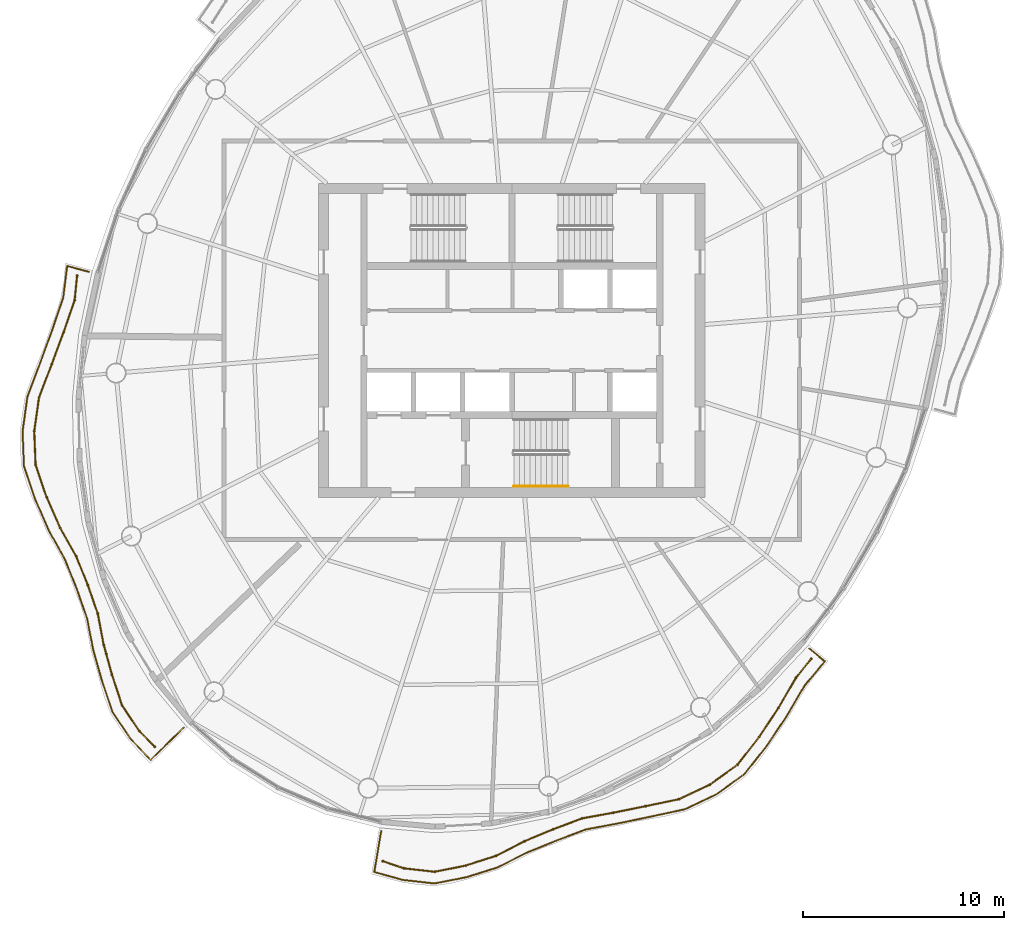
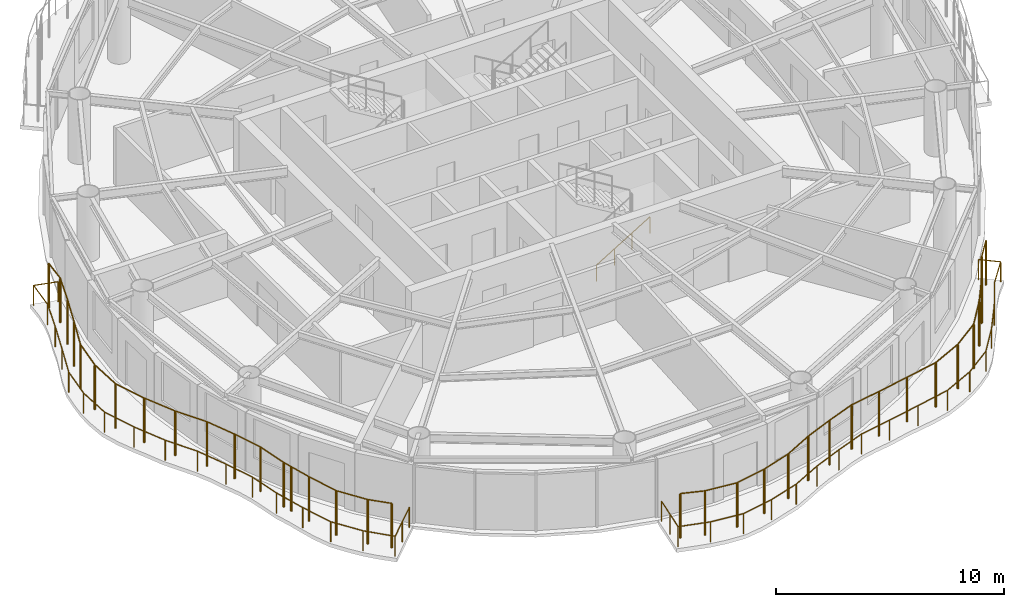
# One storey, part 11 of 13: 6 railings.
"""IFC4 building model written with IfcOpenShell, lengths in metres."""

from ifc_helpers import new_model, si_unit, direction, frame, origin, origin_2d, place, context, subcontext, project, spatial, circle, extrude, material, type_object, element, save


model = new_model("IFC4")

# Units and contexts
model_context = context("Model", 3, precision=1e-05, world=origin(), true_north=direction((0.0, 1.0)))
body_context = subcontext(model_context, "Body", "Model", "MODEL_VIEW")
ifc_project = project(units=[si_unit("LENGTHUNIT", "METRE"), si_unit("AREAUNIT", "SQUARE_METRE"), si_unit("VOLUMEUNIT", "CUBIC_METRE"), si_unit("PLANEANGLEUNIT", "RADIAN"), si_unit("MASSUNIT", "GRAM", prefix="KILO")], contexts=[model_context])

# Site, building, storey
site_placement = place(None, origin())
site = spatial("IfcSite", under=ifc_project, at=site_placement, CompositionType="ELEMENT")
building_placement = place(site_placement, origin())
building = spatial("IfcBuilding", under=site, at=building_placement, Name="Vermilion Reach Broadcast Tower", CompositionType="ELEMENT")
storey_placement = place(building_placement, frame((0.0, 0.0, 282.89990234375)))
storey = spatial("IfcBuildingStorey", under=building, at=storey_placement, Name="L70", CompositionType="ELEMENT", Elevation=282.89990234375)

# Railings
ifc_material_1 = material(Name="Terracotta baguette", Category="masonry")
railing_type_1 = type_object("IfcRailingType", Name="BAGUETTE SCREEN", PredefinedType="USERDEFINED", material=ifc_material_1)
railing_1_placement = place(storey_placement, frame((-27.6015625, 3.225830078125, 0.0)))
element("IfcRailing", 1, at=railing_1_placement, inside=storey, type_object=railing_type_1, Name="Baguette screen L70 group 2 part 1", ObjectType="BAGUETTE SCREEN", PredefinedType="USERDEFINED", context=body_context, shape_type="SweptSolid", body=[
    extrude(circle(Radius=0.030029296875, at=origin_2d()), frame((0.0, 0.0, 2.369873046875), z_axis=(-0.098912555246, -0.995096129233, 0.0), x_axis=(0.995096129233, -0.098912555246, 0.0)), (0.0, 0.0, 1.0), 1.226806640625),
    extrude(circle(Radius=0.030029296875, at=origin_2d()), frame((-0.121337890625, -1.220703125, 2.369873046875), z_axis=(-0.326026376059, -0.945360673031, 0.0), x_axis=(0.945360673031, -0.326026376059, 0.0)), (0.0, 0.0, 1.0), 1.686279296875),
    extrude(circle(Radius=0.030029296875, at=origin_2d()), frame((-0.671142578125, -2.81494140625, 2.369873046875), z_axis=(-0.348060656539, -0.937472015246, 0.0), x_axis=(0.937472015246, -0.348060656539, 0.0)), (0.0, 0.0, 1.0), 1.70458984375),
    extrude(circle(Radius=0.030029296875, at=origin_2d()), frame((-1.264404296875, -4.412841796875, 2.369873046875), z_axis=(-0.356121897227, -0.934439508109, 0.0), x_axis=(0.934439508109, -0.356121897227, 0.0)), (0.0, 0.0, 1.0), 1.7646484375),
    extrude(circle(Radius=0.030029296875, at=origin_2d()), frame((-1.892822265625, -6.061767578125, 2.369873046875), z_axis=(-0.139986704825, -0.990153383306, 0.0), x_axis=(0.990153383306, -0.139986704825, 0.0)), (0.0, 0.0, 1.0), 1.691650390625),
    extrude(circle(Radius=0.030029296875, at=origin_2d()), frame((-2.129638671875, -7.73681640625, 2.369873046875), z_axis=(0.039460056933, -0.999221148649, 0.0), x_axis=(0.999221148649, 0.039460056933, 0.0)), (0.0, 0.0, 1.0), 1.68896484375),
    extrude(circle(Radius=0.030029296875, at=origin_2d()), frame((-2.06298828125, -9.424560546875, 2.369873046875), z_axis=(0.324791783078, -0.945785545272, 0.0), x_axis=(0.945785545272, 0.324791783078, 0.0)), (0.0, 0.0, 1.0), 1.682373046875),
    extrude(circle(Radius=0.030029296875, at=origin_2d()), frame((-1.5166015625, -11.015625, 2.369873046875), z_axis=(0.404592936588, -0.914496886634, 0.0), x_axis=(0.914496886634, 0.404592936588, 0.0)), (0.0, 0.0, 1.0), 1.67138671875),
    extrude(circle(Radius=0.030029296875, at=origin_2d()), frame((-0.84033203125, -12.544189453125, 2.369873046875), z_axis=(0.492380421359, -0.870380101256, 0.0), x_axis=(0.870380101256, 0.492380421359, 0.0)), (0.0, 0.0, 1.0), 1.617919921875),
    extrude(circle(Radius=0.030029296875, at=origin_2d()), frame((-0.043701171875, -13.952392578125, 2.369873046875), z_axis=(0.373378575982, -0.927679060342, 0.0), x_axis=(0.927679060342, 0.373378575982, 0.0)), (0.0, 0.0, 1.0), 1.545166015625),
    extrude(circle(Radius=0.030029296875, at=origin_2d()), frame((0.533203125, -15.3857421875, 2.369873046875), z_axis=(0.329429522511, -0.944180168028, 0.0), x_axis=(0.944180168028, 0.329429522511, 0.0)), (0.0, 0.0, 1.0), 1.5),
    extrude(circle(Radius=0.030029296875, at=origin_2d()), frame((1.02734375, -16.802001953125, 2.369873046875), z_axis=(0.185680305934, -0.982610209589, 0.0), x_axis=(0.982610209589, 0.185680305934, 0.0)), (0.0, 0.0, 1.0), 1.5673828125),
    extrude(circle(Radius=0.030029296875, at=origin_2d()), frame((1.318359375, -18.342041015625, 2.369873046875), z_axis=(0.266690429314, -0.963782244551, 0.0), x_axis=(0.963782244551, 0.266690429314, 0.0)), (0.0, 0.0, 1.0), 0.46240234375),
    extrude(circle(Radius=0.050048828125, at=origin_2d()), origin(), (0.0, 0.0, 1.0), 2.33984375),
    extrude(circle(Radius=0.050048828125, at=origin_2d()), frame((-0.121337890625, -1.220703125, 0.0)), (0.0, 0.0, 1.0), 2.33984375),
    extrude(circle(Radius=0.050048828125, at=origin_2d()), frame((-0.671142578125, -2.81494140625, 0.0)), (0.0, 0.0, 1.0), 2.33984375),
    extrude(circle(Radius=0.050048828125, at=origin_2d()), frame((-1.264404296875, -4.412841796875, 0.0)), (0.0, 0.0, 1.0), 2.33984375),
    extrude(circle(Radius=0.050048828125, at=origin_2d()), frame((-1.892822265625, -6.061767578125, 0.0)), (0.0, 0.0, 1.0), 2.33984375),
    extrude(circle(Radius=0.050048828125, at=origin_2d()), frame((-2.129638671875, -7.73681640625, 0.0)), (0.0, 0.0, 1.0), 2.33984375),
    extrude(circle(Radius=0.050048828125, at=origin_2d()), frame((-2.06298828125, -9.424560546875, 0.0)), (0.0, 0.0, 1.0), 2.33984375),
    extrude(circle(Radius=0.050048828125, at=origin_2d()), frame((-1.5166015625, -11.015625, 0.0)), (0.0, 0.0, 1.0), 2.33984375),
    extrude(circle(Radius=0.050048828125, at=origin_2d()), frame((-0.84033203125, -12.544189453125, 0.0)), (0.0, 0.0, 1.0), 2.33984375),
    extrude(circle(Radius=0.050048828125, at=origin_2d()), frame((-0.043701171875, -13.952392578125, 0.0)), (0.0, 0.0, 1.0), 2.33984375),
    extrude(circle(Radius=0.050048828125, at=origin_2d()), frame((0.533203125, -15.3857421875, 0.0)), (0.0, 0.0, 1.0), 2.33984375),
    extrude(circle(Radius=0.050048828125, at=origin_2d()), frame((1.02734375, -16.802001953125, 0.0)), (0.0, 0.0, 1.0), 2.33984375),
    extrude(circle(Radius=0.050048828125, at=origin_2d()), frame((1.318359375, -18.342041015625, 0.0)), (0.0, 0.0, 1.0), 2.33984375),
    extrude(circle(Radius=0.050048828125, at=origin_2d()), frame((1.441650390625, -18.78759765625, 0.0)), (0.0, 0.0, 1.0), 2.33984375),
])
railing_2_placement = place(storey_placement, frame((-26.15771484375, -15.570068359375, 0.0)))
element("IfcRailing", 2, at=railing_2_placement, inside=storey, type_object=railing_type_1, Name="Baguette screen L70 group 2 part 2", ObjectType="BAGUETTE SCREEN", PredefinedType="USERDEFINED", context=body_context, shape_type="SweptSolid", body=[
    extrude(circle(Radius=0.030029296875, at=origin_2d()), frame((0.0, 0.0, 2.369873046875), z_axis=(0.266853319181, -0.963737156097, 0.0), x_axis=(0.963737156097, 0.266853319181, 0.0)), (0.0, 0.0, 1.0), 1.083251953125),
    extrude(circle(Radius=0.030029296875, at=origin_2d()), frame((0.2890625, -1.0439453125, 2.369873046875), z_axis=(0.312102100613, -0.950048566544, 0.0), x_axis=(0.950048566544, 0.312102100613, 0.0)), (0.0, 0.0, 1.0), 1.598876953125),
    extrude(circle(Radius=0.030029296875, at=origin_2d()), frame((0.7880859375, -2.56298828125, 2.369873046875), z_axis=(0.557814495852, -0.829965654842, 0.0), x_axis=(0.829965654842, 0.557814495852, 0.0)), (0.0, 0.0, 1.0), 1.535888671875),
    extrude(circle(Radius=0.030029296875, at=origin_2d()), frame((1.644775390625, -3.837646484375, 2.369873046875), z_axis=(0.699798474011, -0.714340322096, 0.0), x_axis=(0.714340322096, 0.699798474011, 0.0)), (0.0, 0.0, 1.0), 1.09130859375),
    extrude(circle(Radius=0.050048828125, at=origin_2d()), origin(), (0.0, 0.0, 1.0), 2.33984375),
    extrude(circle(Radius=0.050048828125, at=origin_2d()), frame((0.2890625, -1.0439453125, 0.0)), (0.0, 0.0, 1.0), 2.33984375),
    extrude(circle(Radius=0.050048828125, at=origin_2d()), frame((0.7880859375, -2.56298828125, 0.0)), (0.0, 0.0, 1.0), 2.33984375),
    extrude(circle(Radius=0.050048828125, at=origin_2d()), frame((1.644775390625, -3.837646484375, 0.0)), (0.0, 0.0, 1.0), 2.33984375),
    extrude(circle(Radius=0.050048828125, at=origin_2d()), frame((2.408447265625, -4.6171875, 0.0)), (0.0, 0.0, 1.0), 2.33984375),
])
railing_3_placement = place(storey_placement, frame((-12.4091796875, -25.869873046875, 0.0)))
element("IfcRailing", 3, at=railing_3_placement, inside=storey, type_object=railing_type_1, Name="Baguette screen L70 group 3", ObjectType="BAGUETTE SCREEN", PredefinedType="USERDEFINED", context=body_context, shape_type="SweptSolid", body=[
    extrude(circle(Radius=0.030029296875, at=origin_2d()), frame((0.0, 0.0, 2.369873046875), z_axis=(0.945401212567, -0.325908802084, 0.0), x_axis=(0.325908802084, 0.945401212567, 0.0)), (0.0, 0.0, 1.0), 1.102783203125),
    extrude(circle(Radius=0.030029296875, at=origin_2d()), frame((1.04248046875, -0.359375, 2.369873046875), z_axis=(0.993617788475, -0.112799336996, 0.0), x_axis=(0.112799336996, 0.993617788475, 0.0)), (0.0, 0.0, 1.0), 1.538818359375),
    extrude(circle(Radius=0.030029296875, at=origin_2d()), frame((2.571533203125, -0.532958984375, 2.369873046875), z_axis=(0.980354634662, 0.197242972744, 0.0), x_axis=(-0.197242972744, 0.980354634662, 0.0)), (0.0, 0.0, 1.0), 1.5830078125),
    extrude(circle(Radius=0.030029296875, at=origin_2d()), frame((4.12353515625, -0.220703125, 2.369873046875), z_axis=(0.9520544892, 0.305928504056, 0.0), x_axis=(-0.305928504056, 0.9520544892, 0.0)), (0.0, 0.0, 1.0), 1.5673828125),
    extrude(circle(Radius=0.030029296875, at=origin_2d()), frame((5.61572265625, 0.2587890625, 2.369873046875), z_axis=(0.890455137871, 0.455071035596, 0.0), x_axis=(-0.455071035596, 0.890455137871, 0.0)), (0.0, 0.0, 1.0), 1.612060546875),
    extrude(circle(Radius=0.030029296875, at=origin_2d()), frame((7.05126953125, 0.992431640625, 2.369873046875), z_axis=(0.923935048136, 0.382549378284, 0.0), x_axis=(-0.382549378284, 0.923935048136, 0.0)), (0.0, 0.0, 1.0), 1.52783203125),
    extrude(circle(Radius=0.030029296875, at=origin_2d()), frame((8.462890625, 1.576904296875, 2.369873046875), z_axis=(0.935354348425, 0.353712090383, 0.0), x_axis=(-0.353712090383, 0.935354348425, 0.0)), (0.0, 0.0, 1.0), 1.539306640625),
    extrude(circle(Radius=0.030029296875, at=origin_2d()), frame((9.902587890625, 2.121337890625, 2.369873046875), z_axis=(0.983755217151, 0.179515104458, 0.0), x_axis=(-0.179515104458, 0.983755217151, 0.0)), (0.0, 0.0, 1.0), 1.5693359375),
    extrude(circle(Radius=0.030029296875, at=origin_2d()), frame((11.446533203125, 2.403076171875, 2.369873046875), z_axis=(0.980139278118, 0.198310351447, 0.0), x_axis=(-0.198310351447, 0.980139278118, 0.0)), (0.0, 0.0, 1.0), 1.647216796875),
    extrude(circle(Radius=0.030029296875, at=origin_2d()), frame((13.06103515625, 2.729736328125, 2.369873046875), z_axis=(0.978873746401, 0.204465617174, 0.0), x_axis=(-0.204465617174, 0.978873746401, 0.0)), (0.0, 0.0, 1.0), 1.69677734375),
    extrude(circle(Radius=0.030029296875, at=origin_2d()), frame((14.721923828125, 3.07666015625, 2.369873046875), z_axis=(0.904036839636, 0.427454550311, 0.0), x_axis=(-0.427454550311, 0.904036839636, 0.0)), (0.0, 0.0, 1.0), 1.694580078125),
    extrude(circle(Radius=0.030029296875, at=origin_2d()), frame((16.25390625, 3.801025390625, 2.369873046875), z_axis=(0.811691045613, 0.584087019606, 0.0), x_axis=(-0.584087019606, 0.811691045613, 0.0)), (0.0, 0.0, 1.0), 1.68408203125),
    extrude(circle(Radius=0.030029296875, at=origin_2d()), frame((17.620849609375, 4.78466796875, 2.369873046875), z_axis=(0.615040467728, 0.788495544095, 0.0), x_axis=(-0.788495544095, 0.615040467728, 0.0)), (0.0, 0.0, 1.0), 1.7509765625),
    extrude(circle(Radius=0.030029296875, at=origin_2d()), frame((18.69775390625, 6.165283203125, 2.369873046875), z_axis=(0.552779234874, 0.833327737143, 0.0), x_axis=(-0.833327737143, 0.552779234874, 0.0)), (0.0, 0.0, 1.0), 1.731689453125),
    extrude(circle(Radius=0.030029296875, at=origin_2d()), frame((19.655029296875, 7.6083984375, 2.369873046875), z_axis=(0.503853514141, 0.863789115634, 0.0), x_axis=(-0.863789115634, 0.503853514141, 0.0)), (0.0, 0.0, 1.0), 1.733642578125),
    extrude(circle(Radius=0.030029296875, at=origin_2d()), frame((20.528564453125, 9.10595703125, 2.369873046875), z_axis=(0.624327637566, 0.781162595732, 0.0), x_axis=(-0.781162595732, 0.624327637566, 0.0)), (0.0, 0.0, 1.0), 1.2158203125),
    extrude(circle(Radius=0.050048828125, at=origin_2d()), origin(), (0.0, 0.0, 1.0), 2.33984375),
    extrude(circle(Radius=0.050048828125, at=origin_2d()), frame((1.04248046875, -0.359375, 0.0)), (0.0, 0.0, 1.0), 2.33984375),
    extrude(circle(Radius=0.050048828125, at=origin_2d()), frame((2.571533203125, -0.532958984375, 0.0)), (0.0, 0.0, 1.0), 2.33984375),
    extrude(circle(Radius=0.050048828125, at=origin_2d()), frame((4.12353515625, -0.220703125, 0.0)), (0.0, 0.0, 1.0), 2.33984375),
    extrude(circle(Radius=0.050048828125, at=origin_2d()), frame((5.61572265625, 0.2587890625, 0.0)), (0.0, 0.0, 1.0), 2.33984375),
    extrude(circle(Radius=0.050048828125, at=origin_2d()), frame((7.05126953125, 0.992431640625, 0.0)), (0.0, 0.0, 1.0), 2.33984375),
    extrude(circle(Radius=0.050048828125, at=origin_2d()), frame((8.462890625, 1.576904296875, 0.0)), (0.0, 0.0, 1.0), 2.33984375),
    extrude(circle(Radius=0.050048828125, at=origin_2d()), frame((9.902587890625, 2.121337890625, 0.0)), (0.0, 0.0, 1.0), 2.33984375),
    extrude(circle(Radius=0.050048828125, at=origin_2d()), frame((11.446533203125, 2.403076171875, 0.0)), (0.0, 0.0, 1.0), 2.33984375),
    extrude(circle(Radius=0.050048828125, at=origin_2d()), frame((13.06103515625, 2.729736328125, 0.0)), (0.0, 0.0, 1.0), 2.33984375),
    extrude(circle(Radius=0.050048828125, at=origin_2d()), frame((14.721923828125, 3.07666015625, 0.0)), (0.0, 0.0, 1.0), 2.33984375),
    extrude(circle(Radius=0.050048828125, at=origin_2d()), frame((16.25390625, 3.801025390625, 0.0)), (0.0, 0.0, 1.0), 2.33984375),
    extrude(circle(Radius=0.050048828125, at=origin_2d()), frame((17.620849609375, 4.78466796875, 0.0)), (0.0, 0.0, 1.0), 2.33984375),
    extrude(circle(Radius=0.050048828125, at=origin_2d()), frame((18.69775390625, 6.165283203125, 0.0)), (0.0, 0.0, 1.0), 2.33984375),
    extrude(circle(Radius=0.050048828125, at=origin_2d()), frame((19.655029296875, 7.6083984375, 0.0)), (0.0, 0.0, 1.0), 2.33984375),
    extrude(circle(Radius=0.050048828125, at=origin_2d()), frame((20.528564453125, 9.10595703125, 0.0)), (0.0, 0.0, 1.0), 2.33984375),
    extrude(circle(Radius=0.050048828125, at=origin_2d()), frame((21.28759765625, 10.0556640625, 0.0)), (0.0, 0.0, 1.0), 2.33984375),
])
ifc_material_2 = material(Name="Stainless steel 316 balustrade", Category="steel")
railing_type_2 = type_object("IfcRailingType", Name="Balcony guard 1100", PredefinedType="BALUSTRADE", material=ifc_material_2)
railing_4_placement = place(storey_placement, frame((-27.01220703125, 3.406982421875, 0.0)))
element("IfcRailing", 4, at=railing_4_placement, inside=storey, type_object=railing_type_2, Name="Balcony guard L70 group 2", PredefinedType="BALUSTRADE", context=body_context, shape_type="SweptSolid", body=[
    extrude(circle(Radius=0.02490234375, at=origin_2d()), frame((0.0, 0.0, 1.0751953125), z_axis=(-0.964974873424, 0.262342321521, 0.0), x_axis=(-0.262342321521, -0.964974873424, 0.0)), (0.0, 0.0, 1.0), 1.11962890625),
    extrude(circle(Radius=0.02490234375, at=origin_2d()), frame((-1.080322265625, 0.293701171875, 1.0751953125), z_axis=(-0.124470256104, -0.992223339448, 0.0), x_axis=(0.992223339448, -0.124470256104, 0.0)), (0.0, 0.0, 1.0), 1.5869140625),
    extrude(circle(Radius=0.02490234375, at=origin_2d()), frame((-1.27783203125, -1.28076171875, 1.0751953125), z_axis=(-0.323336241445, -0.946284140715, 0.0), x_axis=(0.946284140715, -0.323336241445, 0.0)), (0.0, 0.0, 1.0), 1.718505859375),
    extrude(circle(Radius=0.02490234375, at=origin_2d()), frame((-1.83349609375, -2.906982421875, 1.0751953125), z_axis=(-0.344056337083, -0.938949006556, 0.0), x_axis=(0.938949006556, -0.344056337083, 0.0)), (0.0, 0.0, 1.0), 1.736328125),
    extrude(circle(Radius=0.02490234375, at=origin_2d()), frame((-2.430908203125, -4.537353515625, 1.0751953125), z_axis=(-0.351019230812, -0.936368249996, 0.0), x_axis=(0.936368249996, -0.351019230812, 0.0)), (0.0, 0.0, 1.0), 1.797119140625),
    extrude(circle(Radius=0.02490234375, at=origin_2d()), frame((-3.061767578125, -6.22021484375, 1.0751953125), z_axis=(-0.137556801175, -0.990493880067, 0.0), x_axis=(0.990493880067, -0.137556801175, 0.0)), (0.0, 0.0, 1.0), 1.72509765625),
    extrude(circle(Radius=0.02490234375, at=origin_2d()), frame((-3.299072265625, -7.928955078125, 1.0751953125), z_axis=(0.039775835749, -0.999208628311, 0.0), x_axis=(0.999208628311, 0.039775835749, 0.0)), (0.0, 0.0, 1.0), 1.724853515625),
    extrude(circle(Radius=0.02490234375, at=origin_2d()), frame((-3.23046875, -9.65234375, 1.0751953125), z_axis=(0.320533359971, -0.947237227492, 0.0), x_axis=(0.947237227492, 0.320533359971, 0.0)), (0.0, 0.0, 1.0), 1.716796875),
    extrude(circle(Radius=0.02490234375, at=origin_2d()), frame((-2.68017578125, -11.278564453125, 1.0751953125), z_axis=(0.39976101304, -0.916619404362, 0.0), x_axis=(0.916619404362, 0.39976101304, 0.0)), (0.0, 0.0, 1.0), 1.70751953125),
    extrude(circle(Radius=0.02490234375, at=origin_2d()), frame((-1.99755859375, -12.84375, 1.0751953125), z_axis=(0.487033665701, -0.873383196812, 0.0), x_axis=(0.873383196812, 0.487033665701, 0.0)), (0.0, 0.0, 1.0), 1.65380859375),
    extrude(circle(Radius=0.02490234375, at=origin_2d()), frame((-1.192138671875, -14.2880859375, 1.0751953125), z_axis=(0.371576672471, -0.928402270826, 0.0), x_axis=(0.928402270826, 0.371576672471, 0.0)), (0.0, 0.0, 1.0), 1.584228515625),
    extrude(circle(Radius=0.02490234375, at=origin_2d()), frame((-0.603515625, -15.7587890625, 1.0751953125), z_axis=(0.330230314923, -0.94390038622, 0.0), x_axis=(0.94390038622, 0.330230314923, 0.0)), (0.0, 0.0, 1.0), 1.539306640625),
    extrude(circle(Radius=0.02490234375, at=origin_2d()), frame((-0.09521484375, -17.211669921875, 1.0751953125), z_axis=(0.191995704709, -0.981395765924, 0.0), x_axis=(0.981395765924, 0.191995704709, 0.0)), (0.0, 0.0, 1.0), 1.607177734375),
    extrude(circle(Radius=0.02490234375, at=origin_2d()), frame((0.21337890625, -18.7890625, 1.0751953125), z_axis=(0.272900260276, -0.962042331679, 0.0), x_axis=(0.962042331679, 0.272900260276, 0.0)), (0.0, 0.0, 1.0), 1.59423828125),
    extrude(circle(Radius=0.02490234375, at=origin_2d()), frame((0.6484375, -20.32275390625, 1.0751953125), z_axis=(0.318592791602, -0.947891677957, 0.0), x_axis=(0.947891677957, 0.318592791602, 0.0)), (0.0, 0.0, 1.0), 1.640625),
    extrude(circle(Radius=0.02490234375, at=origin_2d()), frame((1.171142578125, -21.8779296875, 1.0751953125), z_axis=(0.559472855001, -0.828848674076, 0.0), x_axis=(0.828848674076, 0.559472855001, 0.0)), (0.0, 0.0, 1.0), 1.578857421875),
    extrude(circle(Radius=0.02490234375, at=origin_2d()), frame((2.054443359375, -23.1865234375, 1.0751953125), z_axis=(0.68606074504, -0.72754426265, 0.0), x_axis=(0.72754426265, 0.68606074504, 0.0)), (0.0, 0.0, 1.0), 1.46533203125),
    extrude(circle(Radius=0.02490234375, at=origin_2d()), frame((3.059814453125, -24.252685546875, 1.0751953125), z_axis=(0.715402128618, 0.698712955632, 0.0), x_axis=(-0.698712955632, 0.715402128618, 0.0)), (0.0, 0.0, 1.0), 2.296630859375),
    extrude(circle(Radius=0.02490234375, at=origin_2d()), origin(), (0.0, 0.0, 1.0), 1.050048828125),
    extrude(circle(Radius=0.02490234375, at=origin_2d()), frame((-1.080322265625, 0.293701171875, 0.0)), (0.0, 0.0, 1.0), 1.050048828125),
    extrude(circle(Radius=0.02490234375, at=origin_2d()), frame((-1.27783203125, -1.28076171875, 0.0)), (0.0, 0.0, 1.0), 1.050048828125),
    extrude(circle(Radius=0.02490234375, at=origin_2d()), frame((-1.83349609375, -2.906982421875, 0.0)), (0.0, 0.0, 1.0), 1.050048828125),
    extrude(circle(Radius=0.02490234375, at=origin_2d()), frame((-2.430908203125, -4.537353515625, 0.0)), (0.0, 0.0, 1.0), 1.050048828125),
    extrude(circle(Radius=0.02490234375, at=origin_2d()), frame((-3.061767578125, -6.22021484375, 0.0)), (0.0, 0.0, 1.0), 1.050048828125),
    extrude(circle(Radius=0.02490234375, at=origin_2d()), frame((-3.299072265625, -7.928955078125, 0.0)), (0.0, 0.0, 1.0), 1.050048828125),
    extrude(circle(Radius=0.02490234375, at=origin_2d()), frame((-3.23046875, -9.65234375, 0.0)), (0.0, 0.0, 1.0), 1.050048828125),
    extrude(circle(Radius=0.02490234375, at=origin_2d()), frame((-2.68017578125, -11.278564453125, 0.0)), (0.0, 0.0, 1.0), 1.050048828125),
    extrude(circle(Radius=0.02490234375, at=origin_2d()), frame((-1.99755859375, -12.84375, 0.0)), (0.0, 0.0, 1.0), 1.050048828125),
    extrude(circle(Radius=0.02490234375, at=origin_2d()), frame((-1.192138671875, -14.2880859375, 0.0)), (0.0, 0.0, 1.0), 1.050048828125),
    extrude(circle(Radius=0.02490234375, at=origin_2d()), frame((-0.603515625, -15.7587890625, 0.0)), (0.0, 0.0, 1.0), 1.050048828125),
    extrude(circle(Radius=0.02490234375, at=origin_2d()), frame((-0.09521484375, -17.211669921875, 0.0)), (0.0, 0.0, 1.0), 1.050048828125),
    extrude(circle(Radius=0.02490234375, at=origin_2d()), frame((0.21337890625, -18.7890625, 0.0)), (0.0, 0.0, 1.0), 1.050048828125),
    extrude(circle(Radius=0.02490234375, at=origin_2d()), frame((0.6484375, -20.32275390625, 0.0)), (0.0, 0.0, 1.0), 1.050048828125),
    extrude(circle(Radius=0.02490234375, at=origin_2d()), frame((1.171142578125, -21.8779296875, 0.0)), (0.0, 0.0, 1.0), 1.050048828125),
    extrude(circle(Radius=0.02490234375, at=origin_2d()), frame((2.054443359375, -23.1865234375, 0.0)), (0.0, 0.0, 1.0), 1.050048828125),
    extrude(circle(Radius=0.02490234375, at=origin_2d()), frame((3.059814453125, -24.252685546875, 0.0)), (0.0, 0.0, 1.0), 1.050048828125),
    extrude(circle(Radius=0.02490234375, at=origin_2d()), frame((3.88134765625, -23.4501953125, 0.0)), (0.0, 0.0, 1.0), 1.050048828125),
    extrude(circle(Radius=0.02490234375, at=origin_2d()), frame((4.702880859375, -22.64794921875, 0.0)), (0.0, 0.0, 1.0), 1.050048828125),
])
railing_5_placement = place(storey_placement, frame((-12.49169921875, -24.37353515625, 0.0)))
element("IfcRailing", 5, at=railing_5_placement, inside=storey, type_object=railing_type_2, Name="Balcony guard L70 group 3", PredefinedType="BALUSTRADE", context=body_context, shape_type="SweptSolid", body=[
    extrude(circle(Radius=0.02490234375, at=origin_2d()), frame((0.0, 0.0, 1.0751953125), z_axis=(-0.165452180217, -0.986217813701, 0.0), x_axis=(0.986217813701, -0.165452180217, 0.0)), (0.0, 0.0, 1.0), 2.0673828125),
    extrude(circle(Radius=0.02490234375, at=origin_2d()), frame((-0.342041015625, -2.038818359375, 1.0751953125), z_axis=(0.963284280122, -0.268483510983, 0.0), x_axis=(0.268483510983, 0.963284280122, 0.0)), (0.0, 0.0, 1.0), 1.469482421875),
    extrude(circle(Radius=0.02490234375, at=origin_2d()), frame((1.073486328125, -2.433349609375, 1.0751953125), z_axis=(0.993808226666, -0.111108994286, 0.0), x_axis=(0.111108994286, 0.993808226666, 0.0)), (0.0, 0.0, 1.0), 1.58203125),
    extrude(circle(Radius=0.02490234375, at=origin_2d()), frame((2.645751953125, -2.609130859375, 1.0751953125), z_axis=(0.981290389426, 0.192533559725, 0.0), x_axis=(-0.192533559725, 0.981290389426, 0.0)), (0.0, 0.0, 1.0), 1.625732421875),
    extrude(circle(Radius=0.02490234375, at=origin_2d()), frame((4.240966796875, -2.296142578125, 1.0751953125), z_axis=(0.953676717821, 0.300833372294, 0.0), x_axis=(-0.300833372294, 0.953676717821, 0.0)), (0.0, 0.0, 1.0), 1.607666015625),
    extrude(circle(Radius=0.02490234375, at=origin_2d()), frame((5.774169921875, -1.8125, 1.0751953125), z_axis=(0.893835052738, 0.448395917128, 0.0), x_axis=(-0.448395917128, 0.893835052738, 0.0)), (0.0, 0.0, 1.0), 1.6513671875),
    extrude(circle(Radius=0.02490234375, at=origin_2d()), frame((7.250244140625, -1.072021484375, 1.0751953125), z_axis=(0.925447620611, 0.378875575228, 0.0), x_axis=(-0.378875575228, 0.925447620611, 0.0)), (0.0, 0.0, 1.0), 1.56640625),
    extrude(circle(Radius=0.02490234375, at=origin_2d()), frame((8.699951171875, -0.478515625, 1.0751953125), z_axis=(0.935826116446, 0.352462026009, 0.0), x_axis=(-0.352462026009, 0.935826116446, 0.0)), (0.0, 0.0, 1.0), 1.57861328125),
    extrude(circle(Radius=0.02490234375, at=origin_2d()), frame((10.17724609375, 0.077880859375, 1.0751953125), z_axis=(0.982964995291, 0.183792867199, 0.0), x_axis=(-0.183792867199, 0.982964995291, 0.0)), (0.0, 0.0, 1.0), 1.60595703125),
    extrude(circle(Radius=0.02490234375, at=origin_2d()), frame((11.755859375, 0.373046875, 1.0751953125), z_axis=(0.979138193273, 0.203195468638, 0.0), x_axis=(-0.203195468638, 0.979138193273, 0.0)), (0.0, 0.0, 1.0), 1.683349609375),
    extrude(circle(Radius=0.02490234375, at=origin_2d()), frame((13.404052734375, 0.715087890625, 1.0751953125), z_axis=(0.977634903942, 0.210309283188, 0.0), x_axis=(-0.210309283188, 0.977634903942, 0.0)), (0.0, 0.0, 1.0), 1.73095703125),
    extrude(circle(Radius=0.02490234375, at=origin_2d()), frame((15.09619140625, 1.0791015625, 1.0751953125), z_axis=(0.903061314026, 0.429511656546, 0.0), x_axis=(-0.429511656546, 0.903061314026, 0.0)), (0.0, 0.0, 1.0), 1.729736328125),
    extrude(circle(Radius=0.02490234375, at=origin_2d()), frame((16.658203125, 1.822021484375, 1.0751953125), z_axis=(0.811779569968, 0.583963979867, 0.0), x_axis=(-0.583963979867, 0.811779569968, 0.0)), (0.0, 0.0, 1.0), 1.7177734375),
    extrude(circle(Radius=0.02490234375, at=origin_2d()), frame((18.052734375, 2.8251953125, 1.0751953125), z_axis=(0.618467936508, 0.785810035258, 0.0), x_axis=(-0.785810035258, 0.618467936508, 0.0)), (0.0, 0.0, 1.0), 1.7841796875),
    extrude(circle(Radius=0.02490234375, at=origin_2d()), frame((19.15625, 4.227294921875, 1.0751953125), z_axis=(0.556551863542, 0.830812868935, 0.0), x_axis=(-0.830812868935, 0.556551863542, 0.0)), (0.0, 0.0, 1.0), 1.763427734375),
    extrude(circle(Radius=0.02490234375, at=origin_2d()), frame((20.1376953125, 5.6923828125, 1.0751953125), z_axis=(0.507890288411, 0.861421763678, 0.0), x_axis=(-0.861421763678, 0.507890288411, 0.0)), (0.0, 0.0, 1.0), 1.76513671875),
    extrude(circle(Radius=0.02490234375, at=origin_2d()), frame((21.0341796875, 7.212890625, 1.0751953125), z_axis=(0.637897200886, 0.770121523594, 0.0), x_axis=(-0.770121523594, 0.637897200886, 0.0)), (0.0, 0.0, 1.0), 1.576904296875),
    extrude(circle(Radius=0.02490234375, at=origin_2d()), frame((22.0400390625, 8.42724609375, 1.0751953125), z_axis=(-0.766034934633, 0.642798941288, 0.0), x_axis=(-0.642798941288, -0.766034934633, 0.0)), (0.0, 0.0, 1.0), 0.990478515625),
    extrude(circle(Radius=0.02490234375, at=origin_2d()), origin(), (0.0, 0.0, 1.0), 1.050048828125),
    extrude(circle(Radius=0.02490234375, at=origin_2d()), frame((-0.1708984375, -1.01953125, 0.0)), (0.0, 0.0, 1.0), 1.050048828125),
    extrude(circle(Radius=0.02490234375, at=origin_2d()), frame((-0.342041015625, -2.038818359375, 0.0)), (0.0, 0.0, 1.0), 1.050048828125),
    extrude(circle(Radius=0.02490234375, at=origin_2d()), frame((1.073486328125, -2.433349609375, 0.0)), (0.0, 0.0, 1.0), 1.050048828125),
    extrude(circle(Radius=0.02490234375, at=origin_2d()), frame((2.645751953125, -2.609130859375, 0.0)), (0.0, 0.0, 1.0), 1.050048828125),
    extrude(circle(Radius=0.02490234375, at=origin_2d()), frame((4.240966796875, -2.296142578125, 0.0)), (0.0, 0.0, 1.0), 1.050048828125),
    extrude(circle(Radius=0.02490234375, at=origin_2d()), frame((5.774169921875, -1.8125, 0.0)), (0.0, 0.0, 1.0), 1.050048828125),
    extrude(circle(Radius=0.02490234375, at=origin_2d()), frame((7.250244140625, -1.072021484375, 0.0)), (0.0, 0.0, 1.0), 1.050048828125),
    extrude(circle(Radius=0.02490234375, at=origin_2d()), frame((8.699951171875, -0.478515625, 0.0)), (0.0, 0.0, 1.0), 1.050048828125),
    extrude(circle(Radius=0.02490234375, at=origin_2d()), frame((10.17724609375, 0.077880859375, 0.0)), (0.0, 0.0, 1.0), 1.050048828125),
    extrude(circle(Radius=0.02490234375, at=origin_2d()), frame((11.755859375, 0.373046875, 0.0)), (0.0, 0.0, 1.0), 1.050048828125),
    extrude(circle(Radius=0.02490234375, at=origin_2d()), frame((13.404052734375, 0.715087890625, 0.0)), (0.0, 0.0, 1.0), 1.050048828125),
    extrude(circle(Radius=0.02490234375, at=origin_2d()), frame((15.09619140625, 1.0791015625, 0.0)), (0.0, 0.0, 1.0), 1.050048828125),
    extrude(circle(Radius=0.02490234375, at=origin_2d()), frame((16.658203125, 1.822021484375, 0.0)), (0.0, 0.0, 1.0), 1.050048828125),
    extrude(circle(Radius=0.02490234375, at=origin_2d()), frame((18.052734375, 2.8251953125, 0.0)), (0.0, 0.0, 1.0), 1.050048828125),
    extrude(circle(Radius=0.02490234375, at=origin_2d()), frame((19.15625, 4.227294921875, 0.0)), (0.0, 0.0, 1.0), 1.050048828125),
    extrude(circle(Radius=0.02490234375, at=origin_2d()), frame((20.1376953125, 5.6923828125, 0.0)), (0.0, 0.0, 1.0), 1.050048828125),
    extrude(circle(Radius=0.02490234375, at=origin_2d()), frame((21.0341796875, 7.212890625, 0.0)), (0.0, 0.0, 1.0), 1.050048828125),
    extrude(circle(Radius=0.02490234375, at=origin_2d()), frame((22.0400390625, 8.42724609375, 0.0)), (0.0, 0.0, 1.0), 1.050048828125),
    extrude(circle(Radius=0.02490234375, at=origin_2d()), frame((21.28125, 9.06396484375, 0.0)), (0.0, 0.0, 1.0), 1.050048828125),
])
ifc_material_3 = material(Name="Stainless steel", Category="steel")
railing_type_3 = type_object("IfcRailingType", Name="Stair handrail", PredefinedType="HANDRAIL", material=ifc_material_3)
railing_6_placement = place(storey_placement, frame((-5.89990234375, -7.25, 0.163818359375)))
element("IfcRailing", 6, at=railing_6_placement, inside=storey, type_object=railing_type_3, Name="L70 ST3 stair handrail 1", PredefinedType="HANDRAIL", context=body_context, shape_type="SweptSolid", body=[
    extrude(circle(Radius=0.02392578125, at=origin_2d()), frame((0.0, 0.0, 0.8759765625), z_axis=(0.855212373127, 0.0, 0.518277721738), x_axis=(0.0, 1.0, 0.0)), (0.0, 0.0, 1.0), 3.156982421875),
    extrude(circle(Radius=0.02099609375, at=origin_2d()), origin(), (0.0, 0.0, 1.0), 0.851806640625),
    extrude(circle(Radius=0.02099609375, at=origin_2d()), frame((0.89990234375, 0.0, 0.54541015625)), (0.0, 0.0, 1.0), 0.851806640625),
    extrude(circle(Radius=0.02099609375, at=origin_2d()), frame((1.800048828125, 0.0, 1.0908203125)), (0.0, 0.0, 1.0), 0.851806640625),
    extrude(circle(Radius=0.02099609375, at=origin_2d()), frame((2.699951171875, 0.0, 1.63623046875)), (0.0, 0.0, 1.0), 0.851806640625),
])

save(model, "model.ifc")
